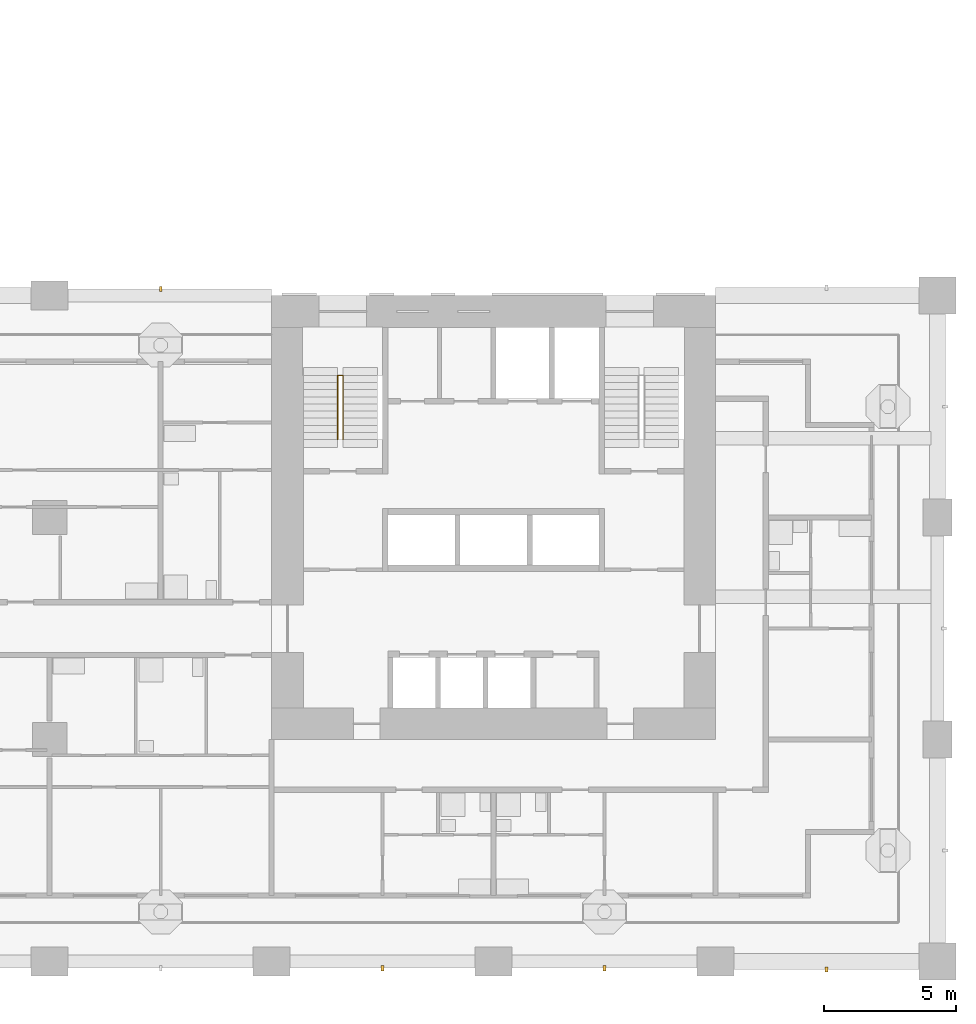
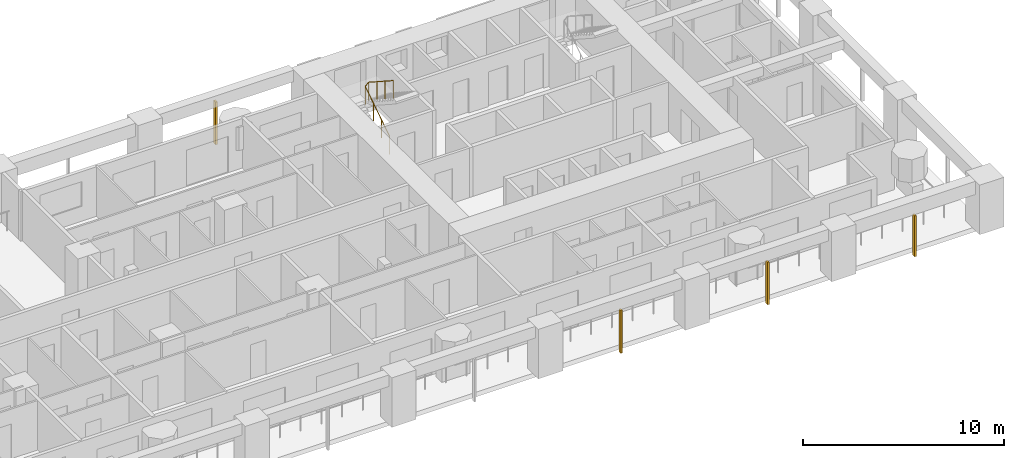
# One storey, part 13 of 21: 4 shading devices, 1 railing.
"""IFC4 building model written with IfcOpenShell, lengths in metres."""

from ifc_helpers import new_model, si_unit, direction, frame, origin, origin_2d, place, context, subcontext, project, spatial, rectangle, circle, extrude, material, material_profile, profile_set, type_object, element, save


model = new_model("IFC4")

# Units and contexts
model_context = context("Model", 3, precision=1e-05, world=origin(), true_north=direction((0.0, 1.0)))
body_context = subcontext(model_context, "Body", "Model", "MODEL_VIEW")
ifc_project = project(units=[si_unit("LENGTHUNIT", "METRE"), si_unit("AREAUNIT", "SQUARE_METRE"), si_unit("VOLUMEUNIT", "CUBIC_METRE"), si_unit("PLANEANGLEUNIT", "RADIAN"), si_unit("MASSUNIT", "GRAM", prefix="KILO")], contexts=[model_context])

# Site, building, storey
site_placement = place(None, origin())
site = spatial("IfcSite", under=ifc_project, at=site_placement, CompositionType="ELEMENT")
building_placement = place(site_placement, origin())
building = spatial("IfcBuilding", under=site, at=building_placement, Name="Vermilion Gate Residences", CompositionType="ELEMENT")
storey_placement = place(building_placement, frame((0.0, 0.0, 70.699951171875)))
storey = spatial("IfcBuildingStorey", under=building, at=storey_placement, Name="L17", CompositionType="ELEMENT", Elevation=70.699951171875)

# Railing
ifc_material_1 = material(Name="Steel S355", Category="steel")
railing_type = type_object("IfcRailingType", Name="STAIR GUARD 1100 STEEL", PredefinedType="GUARDRAIL", material=ifc_material_1)
railing_placement = place(storey_placement, frame((44.5, 19.75, 0.175048828125)))
element("IfcRailing", 1, at=railing_placement, inside=storey, type_object=railing_type, Name="Stair well guard STA1-17", PredefinedType="GUARDRAIL", context=body_context, shape_type="SweptSolid", body=[
    extrude(circle(Radius=0.02392578125, at=origin_2d()), frame((0.0, 0.0, 1.076171875), z_axis=(0.0, 0.839153699163, 0.543894354798), x_axis=(-1.0, 0.0, 0.0)), (0.0, 0.0, 1.0), 2.895751953125),
    extrude(circle(Radius=0.02392578125, at=origin_2d()), frame((0.0, 2.429931640625, 2.65087890625), z_axis=(0.752405939678, 0.0, 0.658699705433), x_axis=(0.0, 1.0, 0.0)), (0.0, 0.0, 1.0), 0.265869140625),
    extrude(circle(Radius=0.02392578125, at=origin_2d()), frame((0.199951171875, 2.429931640625, 2.826171875), z_axis=(0.0, -0.839153699163, 0.543894354798), x_axis=(1.0, 0.0, 0.0)), (0.0, 0.0, 1.0), 2.895751953125),
    extrude(circle(Radius=0.02099609375, at=origin_2d()), origin(), (0.0, 0.0, 1.0), 1.052001953125),
    extrude(circle(Radius=0.02099609375, at=origin_2d()), frame((0.0, 0.81005859375, 0.52490234375)), (0.0, 0.0, 1.0), 1.052001953125),
    extrude(circle(Radius=0.02099609375, at=origin_2d()), frame((0.0, 1.619873046875, 1.050048828125)), (0.0, 0.0, 1.0), 1.052001953125),
    extrude(circle(Radius=0.02099609375, at=origin_2d()), frame((0.0, 2.429931640625, 1.574951171875)), (0.0, 0.0, 1.0), 1.052001953125),
    extrude(circle(Radius=0.02099609375, at=origin_2d()), frame((0.199951171875, 2.429931640625, 1.75)), (0.0, 0.0, 1.0), 1.052001953125),
    extrude(circle(Radius=0.02099609375, at=origin_2d()), frame((0.199951171875, 1.619873046875, 2.27490234375)), (0.0, 0.0, 1.0), 1.052001953125),
    extrude(circle(Radius=0.02099609375, at=origin_2d()), frame((0.199951171875, 0.81005859375, 2.800048828125)), (0.0, 0.0, 1.0), 1.052001953125),
    extrude(circle(Radius=0.02099609375, at=origin_2d()), frame((0.199951171875, 0.0, 3.324951171875)), (0.0, 0.0, 1.0), 1.052001953125),
])

# Shading devices
ifc_material_2 = material(Name="Extruded terracotta", Category="masonry")
ifc_material_profile = material_profile(ifc_material_2, rectangle(XDim=0.199951171875, YDim=0.10009765625, at=origin_2d()), Name="BAGUETTE 100 X 200")
ifc_profile_set = profile_set([ifc_material_profile], Name="Extruded terracotta")
shading_device_type = type_object("IfcShadingDeviceType", Name="TERRACOTTA BAGUETTE 100 X 200", PredefinedType="JALOUSIE", material=ifc_profile_set)
for number, where, z_axis, x_axis, name in (
    (2, (46.199951171875, -0.25, -0.280029296875), (0.0, 0.0, 1.0), (0.0, 1.0, 0.0), "BAGUETTE"),
    (3, (54.60009765625, -0.25, -0.280029296875), (0.0, 0.0, 1.0), (0.0, 1.0, 0.0), "BAGUETTE"),
):
    element("IfcShadingDevice", number, at=place(storey_placement, frame(where, z_axis=z_axis, x_axis=x_axis)), inside=storey, type_object=shading_device_type, Name=name, PredefinedType="JALOUSIE", context=body_context, shape_type="SweptSolid", body=[
        extrude(rectangle(XDim=0.199951171875, YDim=0.10009765625, at=origin_2d()), origin(), (0.0, 0.0, 1.0), 2.580078125),
    ])
shading_device_1_placement = place(storey_placement, frame((63.0, -0.300048828125, -0.280029296875), z_axis=(0.0, 0.0, 1.0), x_axis=(0.0, 1.0, 0.0)))
element("IfcShadingDevice", 4, at=shading_device_1_placement, inside=storey, type_object=shading_device_type, Name="BAGUETTE", PredefinedType="JALOUSIE", context=body_context, shape_type="SweptSolid", body=[
    extrude(rectangle(XDim=0.199951171875, YDim=0.10009765625, at=origin_2d()), origin(), (0.0, 0.0, 1.0), 2.47998046875),
])
shading_device_2_placement = place(storey_placement, frame((37.800048828125, 25.449951171875, -0.280029296875), z_axis=(0.0, 0.0, 1.0), x_axis=(0.0, -1.0, 0.0)))
element("IfcShadingDevice", 5, at=shading_device_2_placement, inside=storey, type_object=shading_device_type, Name="BAGUETTE", PredefinedType="JALOUSIE", context=body_context, shape_type="SweptSolid", body=[
    extrude(rectangle(XDim=0.199951171875, YDim=0.10009765625, at=origin_2d()), origin(), (0.0, 0.0, 1.0), 2.580078125),
])

save(model, "model.ifc")
